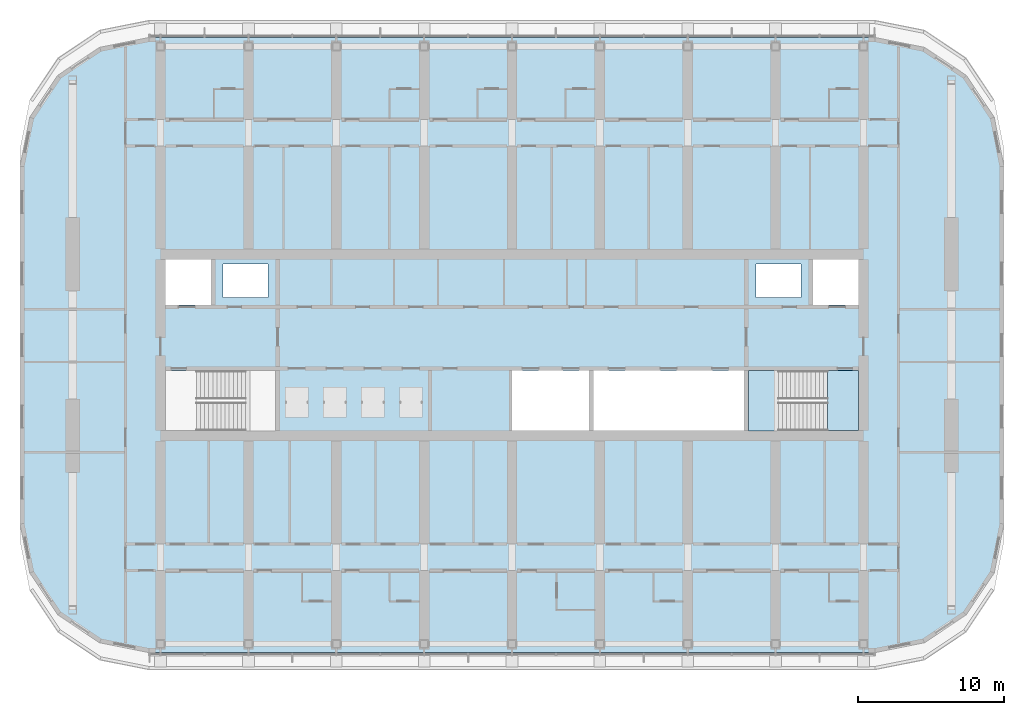
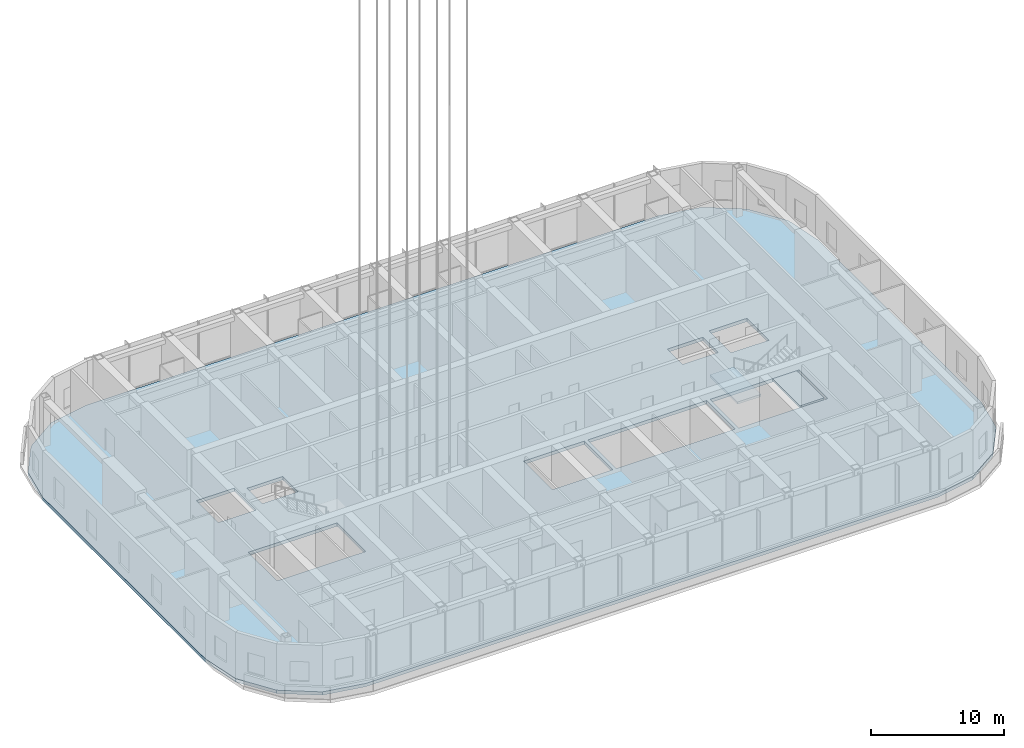
# One storey, part 10 of 35: 3 slabs, 1 element without a shape of its own.
"""IFC4 building model written with IfcOpenShell, lengths in metres."""

import ifcopenshell
import ifcopenshell.guid

model = None  # the IFC model being written
_history = None  # IfcOwnerHistory: only IFC2X3 demands one
_inside = {}  # id of a spatial element -> (the spatial element, [elements in it])
_under = {}  # id of a project, library or spatial element -> (it, [spatial elements below it])
_declared = {}  # id of a project -> (the project, [libraries it declares])
_typed = {}  # id of a type object -> (the type object, [elements of that type])
_made_of = {}  # id of a material, layer set ... -> (it, [elements and type objects made of it])


def new_model(schema):
    """Start an empty IFC model of exactly this schema.

    Asked for "IFC4X3", IfcOpenShell would pick the latest addendum, in which some entities
    have other attributes; the version numbers below select the first issue.
    IFC2X3 requires an IfcOwnerHistory on every rooted entity: one is made here for all.
    """
    global model, _history
    if schema == "IFC4X3":
        model = ifcopenshell.file(schema_version=(4, 3, 0, 0))
    else:
        model = ifcopenshell.file(schema=schema)
    _inside.clear()
    _under.clear()
    _declared.clear()
    _typed.clear()
    _made_of.clear()
    _history = None
    if model.schema == "IFC2X3":
        org = make("IfcOrganization", Name="unknown")
        user = make(
            "IfcPersonAndOrganization",
            ThePerson=make("IfcPerson", FamilyName="unknown"),
            TheOrganization=org,
        )
        app = make(
            "IfcApplication",
            ApplicationDeveloper=org,
            Version="unknown",
            ApplicationFullName="unknown",
            ApplicationIdentifier="unknown",
        )
        _history = make(
            "IfcOwnerHistory",
            OwningUser=user,
            OwningApplication=app,
            ChangeAction="ADDED",
            CreationDate=0,
        )
    return model


def make(cls, **values):
    """One entity of the class cls with the attributes given. An attribute that is None is left unset."""
    return model.create_entity(
        cls, **{name: value for name, value in values.items() if value is not None}
    )


def rooted(cls, **values):
    """An entity with a GlobalId (a new one), such as an element, a storey or a relation."""
    return make(cls, GlobalId=ifcopenshell.guid.new(), OwnerHistory=_history, **values)


def si_unit(unit_type, name, prefix=None):
    """IfcSIUnit, for example si_unit("LENGTHUNIT", "METRE", prefix="MILLI")."""
    return make("IfcSIUnit", UnitType=unit_type, Prefix=prefix, Name=name)


def assignment(units):
    """IfcUnitAssignment: the units of a project."""
    return None if units is None else make("IfcUnitAssignment", Units=units)


def point(xyz):
    """IfcCartesianPoint."""
    return None if xyz is None else make("IfcCartesianPoint", Coordinates=xyz)


def direction(xyz):
    """IfcDirection."""
    return None if xyz is None else make("IfcDirection", DirectionRatios=xyz)


def frame(location, z_axis=None, x_axis=None):
    """IfcAxis2Placement3D, a coordinate frame: its origin and axes. An axis left out is left unset."""
    return make(
        "IfcAxis2Placement3D",
        Location=point(location),
        Axis=direction(z_axis),
        RefDirection=direction(x_axis),
    )


def origin():
    """The frame at (0, 0, 0) with its axes left unset."""
    return frame((0.0, 0.0, 0.0))


def place(relative_to, where):
    """IfcLocalPlacement: puts the frame where relative to a parent placement (None: the world)."""
    return make(
        "IfcLocalPlacement", PlacementRelTo=relative_to, RelativePlacement=where
    )


def context(
    kind, dimensions, precision=None, world=None, true_north=None, identifier=None
):
    """IfcGeometricRepresentationContext, for example the 3D "Model" context."""
    return make(
        "IfcGeometricRepresentationContext",
        ContextIdentifier=identifier,
        ContextType=kind,
        CoordinateSpaceDimension=dimensions,
        Precision=precision,
        WorldCoordinateSystem=world,
        TrueNorth=true_north,
    )


def subcontext(parent, identifier, kind, view, scale=None):
    """IfcGeometricRepresentationSubContext, for example "Body" below "Model"."""
    return make(
        "IfcGeometricRepresentationSubContext",
        ContextIdentifier=identifier,
        ContextType=kind,
        ParentContext=parent,
        TargetScale=scale,
        TargetView=view,
    )


def project(units=None, contexts=None):
    """IfcProject with its units and contexts."""
    return rooted(
        "IfcProject",
        Name="project",
        RepresentationContexts=contexts,
        UnitsInContext=assignment(units),
    )


def spatial(cls, under=None, at=None, **own):
    """A site, building, storey or space (cls), placed at a placement, below another one or the project."""
    s = rooted(cls, ObjectPlacement=at, **own)
    if under is not None:
        _under.setdefault(under.id(), (under, []))[1].append(s)
    return s


def polyline(points):
    """IfcPolyline through the points."""
    return make("IfcPolyline", Points=[point(p) for p in points])


def outline(outer, holes=None, kind="AREA"):
    """IfcArbitraryClosedProfileDef: a profile drawn as a closed curve; with holes, ...WithVoids."""
    if holes is None:
        return make("IfcArbitraryClosedProfileDef", ProfileType=kind, OuterCurve=outer)
    return make(
        "IfcArbitraryProfileDefWithVoids",
        ProfileType=kind,
        OuterCurve=outer,
        InnerCurves=holes,
    )


def extrude(swept, where, along, depth):
    """IfcExtrudedAreaSolid: the profile swept, set in the frame where, extruded along a direction by depth."""
    return make(
        "IfcExtrudedAreaSolid",
        SweptArea=swept,
        Position=where,
        ExtrudedDirection=direction(along),
        Depth=depth,
    )


def shape(context_of_items, identifier, shape_type, items):
    """IfcShapeRepresentation: the items that make up one representation, for example the "Body"."""
    return make(
        "IfcShapeRepresentation",
        ContextOfItems=context_of_items,
        RepresentationIdentifier=identifier,
        RepresentationType=shape_type,
        Items=items,
    )


def material(Name=None, Category=None):
    """IfcMaterial."""
    return make("IfcMaterial", Name=Name, Category=Category)


def layer(
    of_material, thickness, ventilated=None, Name=None, Category=None, Priority=None
):
    """IfcMaterialLayer: one layer of a wall or slab, of a material (None: an air gap)."""
    return make(
        "IfcMaterialLayer",
        Material=of_material,
        LayerThickness=thickness,
        IsVentilated=ventilated,
        Name=Name,
        Category=Category,
        Priority=Priority,
    )


def layer_set(layers, Name=None):
    """IfcMaterialLayerSet."""
    return make("IfcMaterialLayerSet", MaterialLayers=layers, LayerSetName=Name)


def made_of(thing, what):
    """Note that an element or type object is made of a material, layer set ...; save() writes the relation."""
    if what is not None:
        _made_of.setdefault(what.id(), (what, []))[1].append(thing)
    return thing


def type_object(cls, material=None, **own):
    """A type object (cls), such as IfcWallType, which elements share."""
    return made_of(rooted(cls, **own), material)


def element(
    cls,
    number,
    at=None,
    inside=None,
    cuts=None,
    type_object=None,
    material=None,
    context=None,
    identifier="Body",
    shape_type=None,
    held_by="IfcProductDefinitionShape",
    body=None,
    shapes=None,
    **own,
):
    """One element of the class cls, such as IfcWall. Its Tag is "e" and its number.

    at: its placement. inside: the storey or other place that contains it. cuts: it is an
    opening in that element (IfcRelVoidsElement). A single representation is given by context,
    identifier, shape_type and body (its items); several are given by shapes. held_by: the class
    of the entity that holds the representations. save() writes the other relations.
    """
    e = rooted(cls, Tag="e%d" % number, ObjectPlacement=at, **own)
    if body is not None:
        shapes = [shape(context, identifier, shape_type, body)]
    if shapes is not None:
        e.Representation = make(held_by, Representations=shapes)
    if inside is not None:
        _inside.setdefault(inside.id(), (inside, []))[1].append(e)
    if cuts is not None:
        rooted(
            "IfcRelVoidsElement", RelatingBuildingElement=cuts, RelatedOpeningElement=e
        )
    if type_object is not None:
        _typed.setdefault(type_object.id(), (type_object, []))[1].append(e)
    return made_of(e, material)


def aggregate(whole, parts):
    """IfcRelAggregates: a whole, such as a stair, and the parts it consists of."""
    return rooted("IfcRelAggregates", RelatingObject=whole, RelatedObjects=parts)


def save(model, path):
    """Write the relations noted so far, then the file.

    IfcRelAggregates (storeys below a building ...), IfcRelContainedInSpatialStructure (elements
    in a storey), IfcRelDefinesByType, IfcRelAssociatesMaterial and IfcRelDeclares: one each for
    every whole, place, type object, material and project.
    """
    for whole, parts in _under.values():
        aggregate(whole, parts)
    for where, things in _inside.values():
        rooted(
            "IfcRelContainedInSpatialStructure",
            RelatedElements=things,
            RelatingStructure=where,
        )
    for kind, things in _typed.values():
        rooted("IfcRelDefinesByType", RelatedObjects=things, RelatingType=kind)
    for what, things in _made_of.values():
        rooted("IfcRelAssociatesMaterial", RelatedObjects=things, RelatingMaterial=what)
    for by, libraries in _declared.values():
        rooted("IfcRelDeclares", RelatingContext=by, RelatedDefinitions=libraries)
    model.write(path)


model = new_model("IFC4")

# Units and contexts
model_context = context("Model", 3, precision=1e-05, world=origin(), true_north=direction((0.0, 1.0)))
body_context = subcontext(model_context, "Body", "Model", "MODEL_VIEW")
ifc_project = project(units=[si_unit("LENGTHUNIT", "METRE"), si_unit("AREAUNIT", "SQUARE_METRE"), si_unit("VOLUMEUNIT", "CUBIC_METRE"), si_unit("PLANEANGLEUNIT", "RADIAN"), si_unit("MASSUNIT", "GRAM", prefix="KILO")], contexts=[model_context])

# Site, building, storey
site_placement = place(None, origin())
site = spatial("IfcSite", under=ifc_project, at=site_placement, CompositionType="ELEMENT")
building_placement = place(site_placement, origin())
building = spatial("IfcBuilding", under=site, at=building_placement, Name="Orbita Commons", CompositionType="ELEMENT")
storey_placement = place(building_placement, frame((0.0, 0.0, 208.300048828125)))
storey = spatial("IfcBuildingStorey", under=building, at=storey_placement, Name="L51", CompositionType="ELEMENT", Elevation=208.300048828125)

# Slab
ifc_material_1 = material(Name="Concrete C40/50", Category="concrete")
ifc_layer_1 = layer(ifc_material_1, 0.300048828125)
ifc_layer_set_1 = layer_set([ifc_layer_1], Name="Concrete C40/50")
slab_type_1 = type_object("IfcSlabType", Name="Floor slab 300", PredefinedType="FLOOR", material=ifc_layer_set_1)
slab_1_placement = place(storey_placement, frame((0.0, 0.0, -0.300048828125)))
element("IfcSlab", 1, at=slab_1_placement, inside=storey, type_object=slab_type_1, Name="Floor slab L51", PredefinedType="FLOOR", context=body_context, shape_type="SweptSolid", body=[
    extrude(outline(polyline([(66.800048828125, 11.0), (70.167724609375, 11.669921875), (73.0224609375, 13.577392578125), (74.93017578125, 16.432373046875), (75.60009765625, 19.800048828125), (75.60009765625, 44.199951171875), (74.93017578125, 47.567626953125), (73.0224609375, 50.422607421875), (70.167724609375, 52.330078125), (66.800048828125, 53.0), (17.199951171875, 53.0), (13.832275390625, 52.330078125), (10.9775390625, 50.422607421875), (9.06982421875, 47.567626953125), (8.39990234375, 44.199951171875), (8.39990234375, 19.800048828125), (9.06982421875, 16.432373046875), (10.9775390625, 13.577392578125), (13.832275390625, 11.669921875), (17.199951171875, 11.0), (66.800048828125, 11.0)]), holes=[polyline([(18.14990234375, 25.949951171875), (25.85009765625, 25.949951171875), (25.85009765625, 30.25), (18.14990234375, 30.25), (18.14990234375, 25.949951171875)]), polyline([(58.14990234375, 25.949951171875), (65.85009765625, 25.949951171875), (65.85009765625, 30.25), (58.14990234375, 30.25), (58.14990234375, 25.949951171875)]), polyline([(18.14990234375, 34.75), (21.449951171875, 34.75), (21.449951171875, 38.050048828125), (18.14990234375, 38.050048828125), (18.14990234375, 34.75)]), polyline([(62.550048828125, 34.75), (65.85009765625, 34.75), (65.85009765625, 38.050048828125), (62.550048828125, 38.050048828125), (62.550048828125, 34.75)]), polyline([(22.25, 35.25), (25.35009765625, 35.25), (25.35009765625, 37.550048828125), (22.25, 37.550048828125), (22.25, 35.25)]), polyline([(58.64990234375, 35.25), (61.75, 35.25), (61.75, 37.550048828125), (58.64990234375, 37.550048828125), (58.64990234375, 35.25)]), polyline([(42.0, 25.949951171875), (47.25, 25.949951171875), (47.25, 30.25), (42.0, 30.25), (42.0, 25.949951171875)]), polyline([(47.550048828125, 25.949951171875), (57.85009765625, 25.949951171875), (57.85009765625, 30.25), (47.550048828125, 30.25), (47.550048828125, 25.949951171875)])]), origin(), (0.0, 0.0, 1.0), 0.300048828125),
])

# Stair, slabs
ifc_material_2 = material(Name="Precast concrete C40/50", Category="concrete")
stair_type = type_object("IfcStairType", Name="Exit stair S2 2 flights 13 risers 173", PredefinedType="HALF_TURN_STAIR", material=ifc_material_2)
stair_placement = place(storey_placement, origin())
stair = element("IfcStair", 2, at=stair_placement, inside=storey, type_object=stair_type, Name="Exit stair S2 L51", PredefinedType="HALF_TURN_STAIR")
ifc_material_3 = material(Name="Concrete C40/50", Category="concrete")
ifc_layer_2 = layer(ifc_material_3, 0.199951171875)
ifc_layer_set_2 = layer_set([ifc_layer_2], Name="Concrete C40/50")
slab_type_2 = type_object("IfcSlabType", Name="Stair landing 200", PredefinedType="LANDING", material=ifc_layer_set_2)
slab_2_placement = place(storey_placement, frame((0.0, 0.0, -0.199951171875)))
slab_2 = element("IfcSlab", 3, at=slab_2_placement, type_object=slab_type_2, Name="S2 landing 1", PredefinedType="LANDING", context=body_context, shape_type="SweptSolid", body=[
    extrude(outline(polyline([(63.550048828125, 26.14990234375), (65.64990234375, 26.14990234375), (65.64990234375, 30.25), (63.550048828125, 30.25), (63.550048828125, 26.14990234375)])), origin(), (0.0, 0.0, 1.0), 0.199951171875),
])
slab_3_placement = place(storey_placement, frame((0.0, 0.0, 2.050048828125)))
slab_3 = element("IfcSlab", 4, at=slab_3_placement, type_object=slab_type_2, Name="S2 landing 2", PredefinedType="LANDING", context=body_context, shape_type="SweptSolid", body=[
    extrude(outline(polyline([(58.135009765625, 26.135009765625), (60.18994140625, 26.135009765625), (60.18994140625, 30.264892578125), (58.135009765625, 30.264892578125), (58.135009765625, 26.135009765625)])), origin(), (0.0, 0.0, 1.0), 0.199951171875),
])
aggregate(stair, [slab_2, slab_3])

save(model, "model.ifc")
